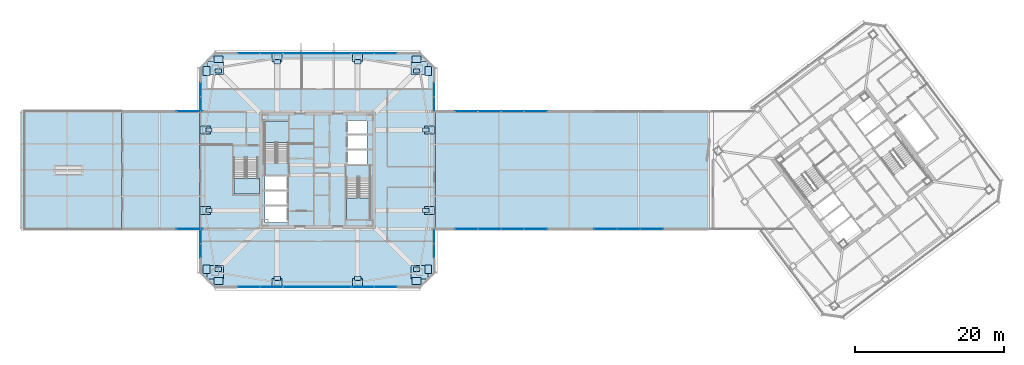
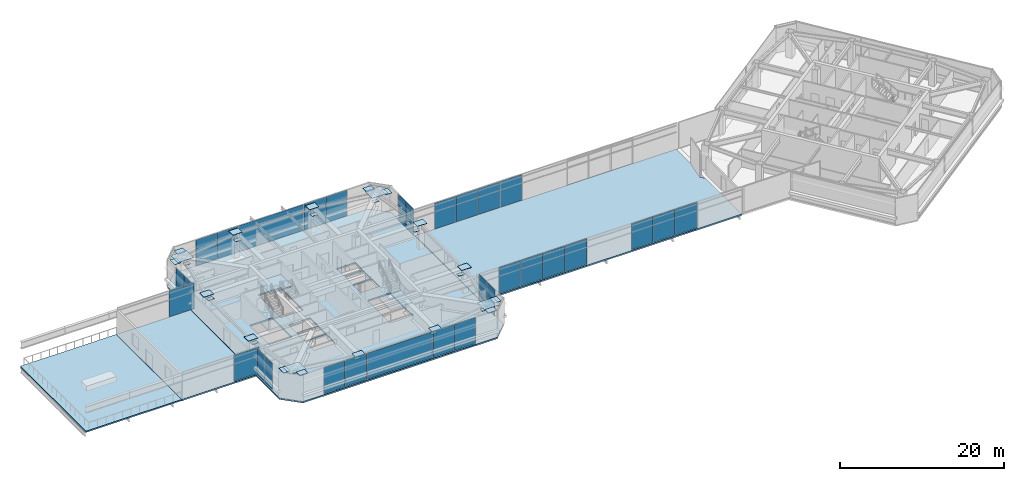
# One storey, part 39 of 51: 63 plates, 7 slabs, 18 elements without a shape of their own.
"""IFC4 building model written with IfcOpenShell, lengths in metres."""

import ifcopenshell
import ifcopenshell.guid

model = None  # the IFC model being written
_history = None  # IfcOwnerHistory: only IFC2X3 demands one
_inside = {}  # id of a spatial element -> (the spatial element, [elements in it])
_under = {}  # id of a project, library or spatial element -> (it, [spatial elements below it])
_declared = {}  # id of a project -> (the project, [libraries it declares])
_typed = {}  # id of a type object -> (the type object, [elements of that type])
_made_of = {}  # id of a material, layer set ... -> (it, [elements and type objects made of it])


def new_model(schema):
    """Start an empty IFC model of exactly this schema.

    Asked for "IFC4X3", IfcOpenShell would pick the latest addendum, in which some entities
    have other attributes; the version numbers below select the first issue.
    IFC2X3 requires an IfcOwnerHistory on every rooted entity: one is made here for all.
    """
    global model, _history
    if schema == "IFC4X3":
        model = ifcopenshell.file(schema_version=(4, 3, 0, 0))
    else:
        model = ifcopenshell.file(schema=schema)
    _inside.clear()
    _under.clear()
    _declared.clear()
    _typed.clear()
    _made_of.clear()
    _history = None
    if model.schema == "IFC2X3":
        org = make("IfcOrganization", Name="unknown")
        user = make(
            "IfcPersonAndOrganization",
            ThePerson=make("IfcPerson", FamilyName="unknown"),
            TheOrganization=org,
        )
        app = make(
            "IfcApplication",
            ApplicationDeveloper=org,
            Version="unknown",
            ApplicationFullName="unknown",
            ApplicationIdentifier="unknown",
        )
        _history = make(
            "IfcOwnerHistory",
            OwningUser=user,
            OwningApplication=app,
            ChangeAction="ADDED",
            CreationDate=0,
        )
    return model


def make(cls, **values):
    """One entity of the class cls with the attributes given. An attribute that is None is left unset."""
    return model.create_entity(
        cls, **{name: value for name, value in values.items() if value is not None}
    )


def rooted(cls, **values):
    """An entity with a GlobalId (a new one), such as an element, a storey or a relation."""
    return make(cls, GlobalId=ifcopenshell.guid.new(), OwnerHistory=_history, **values)


def si_unit(unit_type, name, prefix=None):
    """IfcSIUnit, for example si_unit("LENGTHUNIT", "METRE", prefix="MILLI")."""
    return make("IfcSIUnit", UnitType=unit_type, Prefix=prefix, Name=name)


def assignment(units):
    """IfcUnitAssignment: the units of a project."""
    return None if units is None else make("IfcUnitAssignment", Units=units)


def point(xyz):
    """IfcCartesianPoint."""
    return None if xyz is None else make("IfcCartesianPoint", Coordinates=xyz)


def direction(xyz):
    """IfcDirection."""
    return None if xyz is None else make("IfcDirection", DirectionRatios=xyz)


def frame(location, z_axis=None, x_axis=None):
    """IfcAxis2Placement3D, a coordinate frame: its origin and axes. An axis left out is left unset."""
    return make(
        "IfcAxis2Placement3D",
        Location=point(location),
        Axis=direction(z_axis),
        RefDirection=direction(x_axis),
    )


def frame_2d(location, x_axis=None):
    """IfcAxis2Placement2D, a coordinate frame in the plane: its origin and x axis."""
    return make(
        "IfcAxis2Placement2D", Location=point(location), RefDirection=direction(x_axis)
    )


def origin():
    """The frame at (0, 0, 0) with its axes left unset."""
    return frame((0.0, 0.0, 0.0))


def origin_2d():
    """The frame at (0, 0) in the plane with its x axis left unset."""
    return frame_2d((0.0, 0.0))


def place(relative_to, where):
    """IfcLocalPlacement: puts the frame where relative to a parent placement (None: the world)."""
    return make(
        "IfcLocalPlacement", PlacementRelTo=relative_to, RelativePlacement=where
    )


def context(
    kind, dimensions, precision=None, world=None, true_north=None, identifier=None
):
    """IfcGeometricRepresentationContext, for example the 3D "Model" context."""
    return make(
        "IfcGeometricRepresentationContext",
        ContextIdentifier=identifier,
        ContextType=kind,
        CoordinateSpaceDimension=dimensions,
        Precision=precision,
        WorldCoordinateSystem=world,
        TrueNorth=true_north,
    )


def subcontext(parent, identifier, kind, view, scale=None):
    """IfcGeometricRepresentationSubContext, for example "Body" below "Model"."""
    return make(
        "IfcGeometricRepresentationSubContext",
        ContextIdentifier=identifier,
        ContextType=kind,
        ParentContext=parent,
        TargetScale=scale,
        TargetView=view,
    )


def project(units=None, contexts=None):
    """IfcProject with its units and contexts."""
    return rooted(
        "IfcProject",
        Name="project",
        RepresentationContexts=contexts,
        UnitsInContext=assignment(units),
    )


def spatial(cls, under=None, at=None, **own):
    """A site, building, storey or space (cls), placed at a placement, below another one or the project."""
    s = rooted(cls, ObjectPlacement=at, **own)
    if under is not None:
        _under.setdefault(under.id(), (under, []))[1].append(s)
    return s


def polyline(points):
    """IfcPolyline through the points."""
    return make("IfcPolyline", Points=[point(p) for p in points])


def profile(cls, at=None, kind="AREA", **sizes):
    """A parametric profile (cls). Its sizes go by their IFC names, for example OverallWidth=200.0."""
    return make(cls, ProfileType=kind, Position=at, **sizes)


def rectangle(**sizes):
    """IfcRectangleProfileDef."""
    return profile("IfcRectangleProfileDef", **sizes)


def outline(outer, holes=None, kind="AREA"):
    """IfcArbitraryClosedProfileDef: a profile drawn as a closed curve; with holes, ...WithVoids."""
    if holes is None:
        return make("IfcArbitraryClosedProfileDef", ProfileType=kind, OuterCurve=outer)
    return make(
        "IfcArbitraryProfileDefWithVoids",
        ProfileType=kind,
        OuterCurve=outer,
        InnerCurves=holes,
    )


def extrude(swept, where, along, depth):
    """IfcExtrudedAreaSolid: the profile swept, set in the frame where, extruded along a direction by depth."""
    return make(
        "IfcExtrudedAreaSolid",
        SweptArea=swept,
        Position=where,
        ExtrudedDirection=direction(along),
        Depth=depth,
    )


def shape(context_of_items, identifier, shape_type, items):
    """IfcShapeRepresentation: the items that make up one representation, for example the "Body"."""
    return make(
        "IfcShapeRepresentation",
        ContextOfItems=context_of_items,
        RepresentationIdentifier=identifier,
        RepresentationType=shape_type,
        Items=items,
    )


def material(Name=None, Category=None):
    """IfcMaterial."""
    return make("IfcMaterial", Name=Name, Category=Category)


def layer(
    of_material, thickness, ventilated=None, Name=None, Category=None, Priority=None
):
    """IfcMaterialLayer: one layer of a wall or slab, of a material (None: an air gap)."""
    return make(
        "IfcMaterialLayer",
        Material=of_material,
        LayerThickness=thickness,
        IsVentilated=ventilated,
        Name=Name,
        Category=Category,
        Priority=Priority,
    )


def layer_set(layers, Name=None):
    """IfcMaterialLayerSet."""
    return make("IfcMaterialLayerSet", MaterialLayers=layers, LayerSetName=Name)


def made_of(thing, what):
    """Note that an element or type object is made of a material, layer set ...; save() writes the relation."""
    if what is not None:
        _made_of.setdefault(what.id(), (what, []))[1].append(thing)
    return thing


def type_object(cls, material=None, **own):
    """A type object (cls), such as IfcWallType, which elements share."""
    return made_of(rooted(cls, **own), material)


def element(
    cls,
    number,
    at=None,
    inside=None,
    cuts=None,
    type_object=None,
    material=None,
    context=None,
    identifier="Body",
    shape_type=None,
    held_by="IfcProductDefinitionShape",
    body=None,
    shapes=None,
    **own,
):
    """One element of the class cls, such as IfcWall. Its Tag is "e" and its number.

    at: its placement. inside: the storey or other place that contains it. cuts: it is an
    opening in that element (IfcRelVoidsElement). A single representation is given by context,
    identifier, shape_type and body (its items); several are given by shapes. held_by: the class
    of the entity that holds the representations. save() writes the other relations.
    """
    e = rooted(cls, Tag="e%d" % number, ObjectPlacement=at, **own)
    if body is not None:
        shapes = [shape(context, identifier, shape_type, body)]
    if shapes is not None:
        e.Representation = make(held_by, Representations=shapes)
    if inside is not None:
        _inside.setdefault(inside.id(), (inside, []))[1].append(e)
    if cuts is not None:
        rooted(
            "IfcRelVoidsElement", RelatingBuildingElement=cuts, RelatedOpeningElement=e
        )
    if type_object is not None:
        _typed.setdefault(type_object.id(), (type_object, []))[1].append(e)
    return made_of(e, material)


def aggregate(whole, parts):
    """IfcRelAggregates: a whole, such as a stair, and the parts it consists of."""
    return rooted("IfcRelAggregates", RelatingObject=whole, RelatedObjects=parts)


def save(model, path):
    """Write the relations noted so far, then the file.

    IfcRelAggregates (storeys below a building ...), IfcRelContainedInSpatialStructure (elements
    in a storey), IfcRelDefinesByType, IfcRelAssociatesMaterial and IfcRelDeclares: one each for
    every whole, place, type object, material and project.
    """
    for whole, parts in _under.values():
        aggregate(whole, parts)
    for where, things in _inside.values():
        rooted(
            "IfcRelContainedInSpatialStructure",
            RelatedElements=things,
            RelatingStructure=where,
        )
    for kind, things in _typed.values():
        rooted("IfcRelDefinesByType", RelatedObjects=things, RelatingType=kind)
    for what, things in _made_of.values():
        rooted("IfcRelAssociatesMaterial", RelatedObjects=things, RelatingMaterial=what)
    for by, libraries in _declared.values():
        rooted("IfcRelDeclares", RelatingContext=by, RelatedDefinitions=libraries)
    model.write(path)


model = new_model("IFC4")

# Units and contexts
model_context = context("Model", 3, precision=1e-05, world=origin(), true_north=direction((0.0, 1.0)))
body_context = subcontext(model_context, "Body", "Model", "MODEL_VIEW")
ifc_project = project(units=[si_unit("LENGTHUNIT", "METRE"), si_unit("AREAUNIT", "SQUARE_METRE"), si_unit("VOLUMEUNIT", "CUBIC_METRE"), si_unit("PLANEANGLEUNIT", "RADIAN"), si_unit("MASSUNIT", "GRAM", prefix="KILO")], contexts=[model_context])

# Site, building, storey
site_placement = place(None, origin())
site = spatial("IfcSite", under=ifc_project, at=site_placement, CompositionType="ELEMENT")
building_placement = place(site_placement, origin())
building = spatial("IfcBuilding", under=site, at=building_placement, Name="Tashvorn Skyway Center", CompositionType="ELEMENT")
storey_placement = place(building_placement, frame((0.0, 0.0, 259.39990234375)))
storey = spatial("IfcBuildingStorey", under=building, at=storey_placement, Name="L70", CompositionType="ELEMENT", Elevation=259.39990234375)

# Curtain wall, plates
ifc_material_1 = material(Name="Thermally broken bronze-anodized aluminium 6063-T6", Category="aluminium")
curtain_wall_type = type_object("IfcCurtainWallType", Name="CW-CW-SKY", PredefinedType="NOTDEFINED", material=ifc_material_1)
curtain_wall_1_placement = place(storey_placement, origin())
curtain_wall_1 = element("IfcCurtainWall", 1, at=curtain_wall_1_placement, inside=storey, type_object=curtain_wall_type, Name="Tower 1 L70 South Unitised Curtain Wall Glazing Group 1", PredefinedType="NOTDEFINED")
ifc_material_2 = material(Name="Low-E solar-control double insulating safety glass", Category="glass")
ifc_layer_1 = layer(ifc_material_2, 0.028076171875)
ifc_layer_set_1 = layer_set([ifc_layer_1], Name="Low-E solar-control double insulating safety glass")
plate_type_1 = type_object("IfcPlateType", Name="CWP-CW-SKY", PredefinedType="CURTAIN_PANEL", material=ifc_layer_set_1)
plate_1_placement = place(storey_placement, frame((51.17041015625, 16.320068359375, 0.06494140625), z_axis=(0.0, 0.0, 1.0), x_axis=(-1.0, 0.0, 0.0)))
plate_1 = element("IfcPlate", 2, at=plate_1_placement, type_object=plate_type_1, Name="CW-SKY panel 1.1", PredefinedType="CURTAIN_PANEL", context=body_context, shape_type="SweptSolid", body=[
    extrude(rectangle(XDim=2.96484375, YDim=0.028076171875, at=origin_2d()), origin(), (0.0, 0.0, 1.0), 3.8701171875),
])
plate_2_placement = place(storey_placement, frame((48.140625, 16.320068359375, 0.06494140625), z_axis=(0.0, 0.0, 1.0), x_axis=(-1.0, 0.0, 0.0)))
plate_2 = element("IfcPlate", 3, at=plate_2_placement, type_object=plate_type_1, Name="CW-SKY panel 2.1", PredefinedType="CURTAIN_PANEL", context=body_context, shape_type="SweptSolid", body=[
    extrude(rectangle(XDim=2.96484375, YDim=0.028076171875, at=origin_2d()), origin(), (0.0, 0.0, 1.0), 3.8701171875),
])
aggregate(curtain_wall_1, [plate_1, plate_2])

# Curtain wall, plate
curtain_wall_2_placement = place(storey_placement, origin())
curtain_wall_2 = element("IfcCurtainWall", 4, at=curtain_wall_2_placement, inside=storey, type_object=curtain_wall_type, Name="Tower 1 L70 South Unitised Curtain Wall Glazing Group 2", PredefinedType="NOTDEFINED")
plate_3_placement = place(storey_placement, frame((42.0, 16.320068359375, 0.06494140625), z_axis=(0.0, 0.0, 1.0), x_axis=(-1.0, 0.0, 0.0)))
plate_3 = element("IfcPlate", 5, at=plate_3_placement, type_object=plate_type_1, Name="CW-SKY panel 1.1", PredefinedType="CURTAIN_PANEL", context=body_context, shape_type="SweptSolid", body=[
    extrude(rectangle(XDim=9.056640625, YDim=0.028076171875, at=origin_2d()), origin(), (0.0, 0.0, 1.0), 3.8701171875),
])
aggregate(curtain_wall_2, [plate_3])

# Curtain wall, plates
curtain_wall_3_placement = place(storey_placement, origin())
curtain_wall_3 = element("IfcCurtainWall", 6, at=curtain_wall_3_placement, inside=storey, type_object=curtain_wall_type, Name="Tower 1 L70 South Unitised Curtain Wall Glazing Group 3", PredefinedType="NOTDEFINED")
plate_4_placement = place(storey_placement, frame((35.859375, 16.320068359375, 0.06494140625), z_axis=(0.0, 0.0, 1.0), x_axis=(-1.0, 0.0, 0.0)))
plate_4 = element("IfcPlate", 7, at=plate_4_placement, type_object=plate_type_1, Name="CW-SKY panel 1.1", PredefinedType="CURTAIN_PANEL", context=body_context, shape_type="SweptSolid", body=[
    extrude(rectangle(XDim=2.96484375, YDim=0.028076171875, at=origin_2d()), origin(), (0.0, 0.0, 1.0), 3.8701171875),
])
plate_5_placement = place(storey_placement, frame((32.82958984375, 16.320068359375, 0.06494140625), z_axis=(0.0, 0.0, 1.0), x_axis=(-1.0, 0.0, 0.0)))
plate_5 = element("IfcPlate", 8, at=plate_5_placement, type_object=plate_type_1, Name="CW-SKY panel 2.1", PredefinedType="CURTAIN_PANEL", context=body_context, shape_type="SweptSolid", body=[
    extrude(rectangle(XDim=2.96484375, YDim=0.028076171875, at=origin_2d()), origin(), (0.0, 0.0, 1.0), 3.8701171875),
])
aggregate(curtain_wall_3, [plate_4, plate_5])

curtain_wall_4_placement = place(storey_placement, origin())
curtain_wall_4 = element("IfcCurtainWall", 9, at=curtain_wall_4_placement, inside=storey, type_object=curtain_wall_type, Name="Tower 1 L70 West Curtain Wall A Glazing Group 1", PredefinedType="NOTDEFINED")
plate_6_placement = place(storey_placement, frame((26.320068359375, 21.17626953125, 0.06494140625), z_axis=(0.0, 0.0, 1.0), x_axis=(0.0, 1.0, 0.0)))
plate_6 = element("IfcPlate", 10, at=plate_6_placement, type_object=plate_type_1, Name="CW-SKY panel 1.1", PredefinedType="CURTAIN_PANEL", context=body_context, shape_type="SweptSolid", body=[
    extrude(rectangle(XDim=1.862548828125, YDim=0.028076171875, at=origin_2d()), origin(), (0.0, 0.0, 1.0), 3.8701171875),
])
plate_7_placement = place(storey_placement, frame((26.320068359375, 23.103759765625, 0.06494140625), z_axis=(0.0, 0.0, 1.0), x_axis=(0.0, 1.0, 0.0)))
plate_7 = element("IfcPlate", 11, at=plate_7_placement, type_object=plate_type_1, Name="CW-SKY panel 2.1", PredefinedType="CURTAIN_PANEL", context=body_context, shape_type="SweptSolid", body=[
    extrude(rectangle(XDim=1.862548828125, YDim=0.028076171875, at=origin_2d()), origin(), (0.0, 0.0, 1.0), 3.8701171875),
])
aggregate(curtain_wall_4, [plate_6, plate_7])

curtain_wall_5_placement = place(storey_placement, origin())
curtain_wall_5 = element("IfcCurtainWall", 12, at=curtain_wall_5_placement, inside=storey, type_object=curtain_wall_type, Name="Tower 1 L70 West Curtain Wall B Glazing Group 1", PredefinedType="NOTDEFINED")
plate_8_placement = place(storey_placement, frame((26.320068359375, 40.896240234375, 0.06494140625), z_axis=(0.0, 0.0, 1.0), x_axis=(0.0, 1.0, 0.0)))
plate_8 = element("IfcPlate", 13, at=plate_8_placement, type_object=plate_type_1, Name="CW-SKY panel 1.1", PredefinedType="CURTAIN_PANEL", context=body_context, shape_type="SweptSolid", body=[
    extrude(rectangle(XDim=1.862548828125, YDim=0.028076171875, at=origin_2d()), origin(), (0.0, 0.0, 1.0), 3.8701171875),
])
plate_9_placement = place(storey_placement, frame((26.320068359375, 42.82373046875, 0.06494140625), z_axis=(0.0, 0.0, 1.0), x_axis=(0.0, 1.0, 0.0)))
plate_9 = element("IfcPlate", 14, at=plate_9_placement, type_object=plate_type_1, Name="CW-SKY panel 2.1", PredefinedType="CURTAIN_PANEL", context=body_context, shape_type="SweptSolid", body=[
    extrude(rectangle(XDim=1.862548828125, YDim=0.028076171875, at=origin_2d()), origin(), (0.0, 0.0, 1.0), 3.8701171875),
])
aggregate(curtain_wall_5, [plate_8, plate_9])

curtain_wall_6_placement = place(storey_placement, origin())
curtain_wall_6 = element("IfcCurtainWall", 15, at=curtain_wall_6_placement, inside=storey, type_object=curtain_wall_type, Name="Tower 1 L70 North Unitised Curtain Wall Glazing Group 1", PredefinedType="NOTDEFINED")
plate_10_placement = place(storey_placement, frame((32.82958984375, 47.679931640625, 0.06494140625), z_axis=(0.0, 0.0, 1.0), x_axis=(1.0, 0.0, 0.0)))
plate_10 = element("IfcPlate", 16, at=plate_10_placement, type_object=plate_type_1, Name="CW-SKY panel 1.1", PredefinedType="CURTAIN_PANEL", context=body_context, shape_type="SweptSolid", body=[
    extrude(rectangle(XDim=2.96484375, YDim=0.028076171875, at=origin_2d()), origin(), (0.0, 0.0, 1.0), 3.8701171875),
])
plate_11_placement = place(storey_placement, frame((35.859375, 47.679931640625, 0.06494140625), z_axis=(0.0, 0.0, 1.0), x_axis=(1.0, 0.0, 0.0)))
plate_11 = element("IfcPlate", 17, at=plate_11_placement, type_object=plate_type_1, Name="CW-SKY panel 2.1", PredefinedType="CURTAIN_PANEL", context=body_context, shape_type="SweptSolid", body=[
    extrude(rectangle(XDim=2.96484375, YDim=0.028076171875, at=origin_2d()), origin(), (0.0, 0.0, 1.0), 3.8701171875),
])
aggregate(curtain_wall_6, [plate_10, plate_11])

# Curtain wall, plate
curtain_wall_7_placement = place(storey_placement, origin())
curtain_wall_7 = element("IfcCurtainWall", 18, at=curtain_wall_7_placement, inside=storey, type_object=curtain_wall_type, Name="Tower 1 L70 North Unitised Curtain Wall Glazing Group 2", PredefinedType="NOTDEFINED")
plate_12_placement = place(storey_placement, frame((42.0, 47.679931640625, 0.06494140625), z_axis=(0.0, 0.0, 1.0), x_axis=(1.0, 0.0, 0.0)))
plate_12 = element("IfcPlate", 19, at=plate_12_placement, type_object=plate_type_1, Name="CW-SKY panel 1.1", PredefinedType="CURTAIN_PANEL", context=body_context, shape_type="SweptSolid", body=[
    extrude(rectangle(XDim=9.056640625, YDim=0.028076171875, at=origin_2d()), origin(), (0.0, 0.0, 1.0), 3.8701171875),
])
aggregate(curtain_wall_7, [plate_12])

# Curtain wall, plates
curtain_wall_8_placement = place(storey_placement, origin())
curtain_wall_8 = element("IfcCurtainWall", 20, at=curtain_wall_8_placement, inside=storey, type_object=curtain_wall_type, Name="Tower 1 L70 North Unitised Curtain Wall Glazing Group 3", PredefinedType="NOTDEFINED")
plate_13_placement = place(storey_placement, frame((48.140625, 47.679931640625, 0.06494140625), z_axis=(0.0, 0.0, 1.0), x_axis=(1.0, 0.0, 0.0)))
plate_13 = element("IfcPlate", 21, at=plate_13_placement, type_object=plate_type_1, Name="CW-SKY panel 1.1", PredefinedType="CURTAIN_PANEL", context=body_context, shape_type="SweptSolid", body=[
    extrude(rectangle(XDim=2.96484375, YDim=0.028076171875, at=origin_2d()), origin(), (0.0, 0.0, 1.0), 3.8701171875),
])
plate_14_placement = place(storey_placement, frame((51.17041015625, 47.679931640625, 0.06494140625), z_axis=(0.0, 0.0, 1.0), x_axis=(1.0, 0.0, 0.0)))
plate_14 = element("IfcPlate", 22, at=plate_14_placement, type_object=plate_type_1, Name="CW-SKY panel 2.1", PredefinedType="CURTAIN_PANEL", context=body_context, shape_type="SweptSolid", body=[
    extrude(rectangle(XDim=2.96484375, YDim=0.028076171875, at=origin_2d()), origin(), (0.0, 0.0, 1.0), 3.8701171875),
])
aggregate(curtain_wall_8, [plate_13, plate_14])

curtain_wall_9_placement = place(storey_placement, origin())
curtain_wall_9 = element("IfcCurtainWall", 23, at=curtain_wall_9_placement, inside=storey, type_object=curtain_wall_type, Name="Tower 1 L70 East Curtain Wall A Glazing Group 1", PredefinedType="NOTDEFINED")
plate_15_placement = place(storey_placement, frame((57.679931640625, 42.82373046875, 0.06494140625), z_axis=(0.0, 0.0, 1.0), x_axis=(0.0, -1.0, 0.0)))
plate_15 = element("IfcPlate", 24, at=plate_15_placement, type_object=plate_type_1, Name="CW-SKY panel 1.1", PredefinedType="CURTAIN_PANEL", context=body_context, shape_type="SweptSolid", body=[
    extrude(rectangle(XDim=1.862548828125, YDim=0.028076171875, at=origin_2d()), origin(), (0.0, 0.0, 1.0), 3.8701171875),
])
plate_16_placement = place(storey_placement, frame((57.679931640625, 40.896240234375, 0.06494140625), z_axis=(0.0, 0.0, 1.0), x_axis=(0.0, -1.0, 0.0)))
plate_16 = element("IfcPlate", 25, at=plate_16_placement, type_object=plate_type_1, Name="CW-SKY panel 2.1", PredefinedType="CURTAIN_PANEL", context=body_context, shape_type="SweptSolid", body=[
    extrude(rectangle(XDim=1.862548828125, YDim=0.028076171875, at=origin_2d()), origin(), (0.0, 0.0, 1.0), 3.8701171875),
])
aggregate(curtain_wall_9, [plate_15, plate_16])

curtain_wall_10_placement = place(storey_placement, origin())
curtain_wall_10 = element("IfcCurtainWall", 26, at=curtain_wall_10_placement, inside=storey, type_object=curtain_wall_type, Name="Tower 1 L70 East Curtain Wall B Glazing Group 1", PredefinedType="NOTDEFINED")
plate_17_placement = place(storey_placement, frame((57.679931640625, 23.103759765625, 0.06494140625), z_axis=(0.0, 0.0, 1.0), x_axis=(0.0, -1.0, 0.0)))
plate_17 = element("IfcPlate", 27, at=plate_17_placement, type_object=plate_type_1, Name="CW-SKY panel 1.1", PredefinedType="CURTAIN_PANEL", context=body_context, shape_type="SweptSolid", body=[
    extrude(rectangle(XDim=1.862548828125, YDim=0.028076171875, at=origin_2d()), origin(), (0.0, 0.0, 1.0), 3.8701171875),
])
plate_18_placement = place(storey_placement, frame((57.679931640625, 21.17626953125, 0.06494140625), z_axis=(0.0, 0.0, 1.0), x_axis=(0.0, -1.0, 0.0)))
plate_18 = element("IfcPlate", 28, at=plate_18_placement, type_object=plate_type_1, Name="CW-SKY panel 2.1", PredefinedType="CURTAIN_PANEL", context=body_context, shape_type="SweptSolid", body=[
    extrude(rectangle(XDim=1.862548828125, YDim=0.028076171875, at=origin_2d()), origin(), (0.0, 0.0, 1.0), 3.8701171875),
])
aggregate(curtain_wall_10, [plate_17, plate_18])

curtain_wall_11_placement = place(storey_placement, origin())
curtain_wall_11 = element("IfcCurtainWall", 29, at=curtain_wall_11_placement, inside=storey, type_object=curtain_wall_type, Name="Sky-Park L70 Bridge South Curtain Wall Glazing Group 1", PredefinedType="NOTDEFINED")
plate_19_placement = place(storey_placement, frame((86.896240234375, 24.10009765625, 0.06494140625), z_axis=(0.0, 0.0, 1.0), x_axis=(-1.0, 0.0, 0.0)))
plate_19 = element("IfcPlate", 30, at=plate_19_placement, type_object=plate_type_1, Name="CW-SKY panel 1.1", PredefinedType="CURTAIN_PANEL", context=body_context, shape_type="SweptSolid", body=[
    extrude(rectangle(XDim=3.017578125, YDim=0.028076171875, at=origin_2d()), origin(), (0.0, 0.0, 1.0), 3.8701171875),
])
plate_20_placement = place(storey_placement, frame((83.797607421875, 24.10009765625, 0.06494140625), z_axis=(0.0, 0.0, 1.0), x_axis=(-1.0, 0.0, 0.0)))
plate_20 = element("IfcPlate", 31, at=plate_20_placement, type_object=plate_type_1, Name="CW-SKY panel 2.1", PredefinedType="CURTAIN_PANEL", context=body_context, shape_type="SweptSolid", body=[
    extrude(rectangle(XDim=3.050048828125, YDim=0.028076171875, at=origin_2d()), origin(), (0.0, 0.0, 1.0), 3.8701171875),
])
plate_21_placement = place(storey_placement, frame((80.69873046875, 24.10009765625, 0.06494140625), z_axis=(0.0, 0.0, 1.0), x_axis=(-1.0, 0.0, 0.0)))
plate_21 = element("IfcPlate", 32, at=plate_21_placement, type_object=plate_type_1, Name="CW-SKY panel 3.1", PredefinedType="CURTAIN_PANEL", context=body_context, shape_type="SweptSolid", body=[
    extrude(rectangle(XDim=3.017578125, YDim=0.028076171875, at=origin_2d()), origin(), (0.0, 0.0, 1.0), 3.8701171875),
])
aggregate(curtain_wall_11, [plate_19, plate_20, plate_21])

curtain_wall_12_placement = place(storey_placement, origin())
curtain_wall_12 = element("IfcCurtainWall", 33, at=curtain_wall_12_placement, inside=storey, type_object=curtain_wall_type, Name="Sky-Park L70 Bridge South Curtain Wall Glazing Group 2", PredefinedType="NOTDEFINED")
plate_22_placement = place(storey_placement, frame((71.3212890625, 24.10009765625, 0.06494140625), z_axis=(0.0, 0.0, 1.0), x_axis=(-1.0, 0.0, 0.0)))
plate_22 = element("IfcPlate", 34, at=plate_22_placement, type_object=plate_type_1, Name="CW-SKY panel 1.1", PredefinedType="CURTAIN_PANEL", context=body_context, shape_type="SweptSolid", body=[
    extrude(rectangle(XDim=3.017578125, YDim=0.028076171875, at=origin_2d()), origin(), (0.0, 0.0, 1.0), 3.8701171875),
])
plate_23_placement = place(storey_placement, frame((68.222412109375, 24.10009765625, 0.06494140625), z_axis=(0.0, 0.0, 1.0), x_axis=(-1.0, 0.0, 0.0)))
plate_23 = element("IfcPlate", 35, at=plate_23_placement, type_object=plate_type_1, Name="CW-SKY panel 2.1", PredefinedType="CURTAIN_PANEL", context=body_context, shape_type="SweptSolid", body=[
    extrude(rectangle(XDim=3.050048828125, YDim=0.028076171875, at=origin_2d()), origin(), (0.0, 0.0, 1.0), 3.8701171875),
])
plate_24_placement = place(storey_placement, frame((65.107421875, 24.10009765625, 0.06494140625), z_axis=(0.0, 0.0, 1.0), x_axis=(-1.0, 0.0, 0.0)))
plate_24 = element("IfcPlate", 36, at=plate_24_placement, type_object=plate_type_1, Name="CW-SKY panel 3.1", PredefinedType="CURTAIN_PANEL", context=body_context, shape_type="SweptSolid", body=[
    extrude(rectangle(XDim=3.050048828125, YDim=0.028076171875, at=origin_2d()), origin(), (0.0, 0.0, 1.0), 3.8701171875),
])
plate_25_placement = place(storey_placement, frame((62.0087890625, 24.10009765625, 0.06494140625), z_axis=(0.0, 0.0, 1.0), x_axis=(-1.0, 0.0, 0.0)))
plate_25 = element("IfcPlate", 37, at=plate_25_placement, type_object=plate_type_1, Name="CW-SKY panel 4.1", PredefinedType="CURTAIN_PANEL", context=body_context, shape_type="SweptSolid", body=[
    extrude(rectangle(XDim=3.017578125, YDim=0.028076171875, at=origin_2d()), origin(), (0.0, 0.0, 1.0), 3.8701171875),
])
aggregate(curtain_wall_12, [plate_22, plate_23, plate_24, plate_25])

curtain_wall_13_placement = place(storey_placement, origin())
curtain_wall_13 = element("IfcCurtainWall", 38, at=curtain_wall_13_placement, inside=storey, type_object=curtain_wall_type, Name="Sky-Park L70 Bridge North Curtain Wall Glazing Group 1", PredefinedType="NOTDEFINED")
plate_26_placement = place(storey_placement, frame((62.0087890625, 39.89990234375, 0.06494140625), z_axis=(0.0, 0.0, 1.0), x_axis=(1.0, 0.0, 0.0)))
plate_26 = element("IfcPlate", 39, at=plate_26_placement, type_object=plate_type_1, Name="CW-SKY panel 1.1", PredefinedType="CURTAIN_PANEL", context=body_context, shape_type="SweptSolid", body=[
    extrude(rectangle(XDim=3.017578125, YDim=0.028076171875, at=origin_2d()), origin(), (0.0, 0.0, 1.0), 3.8701171875),
])
plate_27_placement = place(storey_placement, frame((65.107421875, 39.89990234375, 0.06494140625), z_axis=(0.0, 0.0, 1.0), x_axis=(1.0, 0.0, 0.0)))
plate_27 = element("IfcPlate", 40, at=plate_27_placement, type_object=plate_type_1, Name="CW-SKY panel 2.1", PredefinedType="CURTAIN_PANEL", context=body_context, shape_type="SweptSolid", body=[
    extrude(rectangle(XDim=3.050048828125, YDim=0.028076171875, at=origin_2d()), origin(), (0.0, 0.0, 1.0), 3.8701171875),
])
plate_28_placement = place(storey_placement, frame((68.222412109375, 39.89990234375, 0.06494140625), z_axis=(0.0, 0.0, 1.0), x_axis=(1.0, 0.0, 0.0)))
plate_28 = element("IfcPlate", 41, at=plate_28_placement, type_object=plate_type_1, Name="CW-SKY panel 3.1", PredefinedType="CURTAIN_PANEL", context=body_context, shape_type="SweptSolid", body=[
    extrude(rectangle(XDim=3.050048828125, YDim=0.028076171875, at=origin_2d()), origin(), (0.0, 0.0, 1.0), 3.8701171875),
])
plate_29_placement = place(storey_placement, frame((71.3212890625, 39.89990234375, 0.06494140625), z_axis=(0.0, 0.0, 1.0), x_axis=(1.0, 0.0, 0.0)))
plate_29 = element("IfcPlate", 42, at=plate_29_placement, type_object=plate_type_1, Name="CW-SKY panel 4.1", PredefinedType="CURTAIN_PANEL", context=body_context, shape_type="SweptSolid", body=[
    extrude(rectangle(XDim=3.017578125, YDim=0.028076171875, at=origin_2d()), origin(), (0.0, 0.0, 1.0), 3.8701171875),
])
aggregate(curtain_wall_13, [plate_26, plate_27, plate_28, plate_29])

# Curtain wall, plate
curtain_wall_14_placement = place(storey_placement, origin())
curtain_wall_14 = element("IfcCurtainWall", 43, at=curtain_wall_14_placement, inside=storey, type_object=curtain_wall_type, Name="Sky-Park L70 Cantilever Gallery South Curtain Wall Glazing Group 1", PredefinedType="NOTDEFINED")
plate_30_placement = place(storey_placement, frame((24.873291015625, 24.10009765625, 0.06494140625), z_axis=(0.0, 0.0, 1.0), x_axis=(-1.0, 0.0, 0.0)))
plate_30 = element("IfcPlate", 44, at=plate_30_placement, type_object=plate_type_1, Name="CW-SKY panel 1.1", PredefinedType="CURTAIN_PANEL", context=body_context, shape_type="SweptSolid", body=[
    extrude(rectangle(XDim=3.4833984375, YDim=0.028076171875, at=origin_2d()), origin(), (0.0, 0.0, 1.0), 3.8701171875),
])
aggregate(curtain_wall_14, [plate_30])

curtain_wall_15_placement = place(storey_placement, origin())
curtain_wall_15 = element("IfcCurtainWall", 45, at=curtain_wall_15_placement, inside=storey, type_object=curtain_wall_type, Name="Sky-Park L70 Cantilever Gallery North Curtain Wall Glazing Group 1", PredefinedType="NOTDEFINED")
plate_31_placement = place(storey_placement, frame((24.873291015625, 39.89990234375, 0.06494140625), z_axis=(0.0, 0.0, 1.0), x_axis=(1.0, 0.0, 0.0)))
plate_31 = element("IfcPlate", 46, at=plate_31_placement, type_object=plate_type_1, Name="CW-SKY panel 1.1", PredefinedType="CURTAIN_PANEL", context=body_context, shape_type="SweptSolid", body=[
    extrude(rectangle(XDim=3.4833984375, YDim=0.028076171875, at=origin_2d()), origin(), (0.0, 0.0, 1.0), 3.8701171875),
])
aggregate(curtain_wall_15, [plate_31])

# Plates
ifc_material_3 = material(Name="Steel ASTM A572 Grade 50", Category="steel")
ifc_layer_2 = layer(ifc_material_3, 0.034912109375)
ifc_layer_set_2 = layer_set([ifc_layer_2], Name="Steel ASTM A572 Grade 50")
plate_type_2 = type_object("IfcPlateType", Name="PLT-CAP-35", PredefinedType="USERDEFINED", material=ifc_layer_set_2)
for number, where, z_axis, x_axis, name in (
    (47, (28.699951171875, 17.1201171875, 3.6474609375), (0.0, 0.0, 1.0), (1.0, 0.0, 0.0), "Tower 1 Zone 7 S Brace Base End Plate L"),
    (48, (55.300048828125, 17.1201171875, 3.6474609375), (0.0, 0.0, 1.0), (1.0, 0.0, 0.0), "Tower 1 Zone 7 S Brace Base End Plate R"),
    (49, (56.8798828125, 18.699951171875, 3.6474609375), (0.0, 0.0, 1.0), (0.0, 1.0, 0.0), "Tower 1 Zone 7 E Brace Base End Plate L"),
    (50, (56.8798828125, 45.300048828125, 3.6474609375), (0.0, 0.0, 1.0), (0.0, 1.0, 0.0), "Tower 1 Zone 7 E Brace Base End Plate R"),
    (51, (55.300048828125, 46.8798828125, 3.6474609375), (0.0, 0.0, 1.0), (-1.0, 0.0, 0.0), "Tower 1 Zone 7 N Brace Base End Plate L"),
    (52, (28.699951171875, 46.8798828125, 3.6474609375), (0.0, 0.0, 1.0), (-1.0, 0.0, 0.0), "Tower 1 Zone 7 N Brace Base End Plate R"),
    (53, (27.1201171875, 45.300048828125, 3.6474609375), (0.0, 0.0, 1.0), (0.0, -1.0, 0.0), "Tower 1 Zone 7 W Brace Base End Plate L"),
    (54, (27.1201171875, 18.699951171875, 3.6474609375), (0.0, 0.0, 1.0), (0.0, -1.0, 0.0), "Tower 1 Zone 7 W Brace Base End Plate R"),
):
    element("IfcPlate", number, at=place(storey_placement, frame(where, z_axis=z_axis, x_axis=x_axis)), inside=storey, type_object=plate_type_2, Name=name, ObjectType="END PLATE", PredefinedType="USERDEFINED", context=body_context, shape_type="SweptSolid", body=[
        extrude(rectangle(XDim=1.199951171875, YDim=0.919921875, at=origin_2d()), origin(), (0.0, 0.0, 1.0), 0.034912109375),
    ])
ifc_layer_3 = layer(ifc_material_3, 0.050048828125)
ifc_layer_set_3 = layer_set([ifc_layer_3], Name="Steel ASTM A572 Grade 50")
plate_type_3 = type_object("IfcPlateType", Name="PLT-ENDCAP-1650", PredefinedType="USERDEFINED", material=ifc_layer_set_3)
for number, where, z_axis, x_axis, name in (
    (55, (28.300048828125, 18.300048828125, 3.68994140625), (0.0, 0.0, 1.0), (1.0, 0.0, 0.0), "Tower 1 L70 MC-SW Setback Cap End Plate"),
    (56, (55.699951171875, 18.300048828125, 3.68994140625), (0.0, 0.0, 1.0), (1.0, 0.0, 0.0), "Tower 1 L70 MC-SE Setback Cap End Plate"),
    (57, (55.699951171875, 45.699951171875, 3.68994140625), (0.0, 0.0, 1.0), (1.0, 0.0, 0.0), "Tower 1 L70 MC-NE Setback Cap End Plate"),
    (58, (28.300048828125, 45.699951171875, 3.68994140625), (0.0, 0.0, 1.0), (1.0, 0.0, 0.0), "Tower 1 L70 MC-NW Setback Cap End Plate"),
):
    element("IfcPlate", number, at=place(storey_placement, frame(where, z_axis=z_axis, x_axis=x_axis)), inside=storey, type_object=plate_type_3, Name=name, ObjectType="END PLATE", PredefinedType="USERDEFINED", context=body_context, shape_type="SweptSolid", body=[
        extrude(rectangle(XDim=2.25, YDim=1.780029296875, at=origin_2d()), origin(), (0.0, 0.0, 1.0), 0.050048828125),
    ])
ifc_layer_4 = layer(ifc_material_3, 0.050048828125)
ifc_layer_set_4 = layer_set([ifc_layer_4], Name="Steel ASTM A572 Grade 50")
plate_type_4 = type_object("IfcPlateType", Name="PLT-ENDCAP-900", PredefinedType="USERDEFINED", material=ifc_layer_set_4)
for number, where, z_axis, x_axis, name in (
    (59, (36.60009765625, 16.949951171875, 3.68994140625), (0.0, 0.0, 1.0), (1.0, 0.0, 0.0), "Tower 1 L70 FC-S1 Setback Cap End Plate"),
    (60, (47.39990234375, 16.949951171875, 3.68994140625), (0.0, 0.0, 1.0), (1.0, 0.0, 0.0), "Tower 1 L70 FC-S2 Setback Cap End Plate"),
    (61, (57.050048828125, 26.60009765625, 3.68994140625), (0.0, 0.0, 1.0), (1.0, 0.0, 0.0), "Tower 1 L70 FC-E1 Setback Cap End Plate"),
    (62, (57.050048828125, 37.39990234375, 3.68994140625), (0.0, 0.0, 1.0), (1.0, 0.0, 0.0), "Tower 1 L70 FC-E2 Setback Cap End Plate"),
    (63, (47.39990234375, 47.050048828125, 3.68994140625), (0.0, 0.0, 1.0), (1.0, 0.0, 0.0), "Tower 1 L70 FC-N1 Setback Cap End Plate"),
    (64, (36.60009765625, 47.050048828125, 3.68994140625), (0.0, 0.0, 1.0), (1.0, 0.0, 0.0), "Tower 1 L70 FC-N2 Setback Cap End Plate"),
    (65, (26.949951171875, 37.39990234375, 3.68994140625), (0.0, 0.0, 1.0), (1.0, 0.0, 0.0), "Tower 1 L70 FC-W1 Setback Cap End Plate"),
    (66, (26.949951171875, 26.60009765625, 3.68994140625), (0.0, 0.0, 1.0), (1.0, 0.0, 0.0), "Tower 1 L70 FC-W2 Setback Cap End Plate"),
):
    element("IfcPlate", number, at=place(storey_placement, frame(where, z_axis=z_axis, x_axis=x_axis)), inside=storey, type_object=plate_type_4, Name=name, ObjectType="END PLATE", PredefinedType="USERDEFINED", context=body_context, shape_type="SweptSolid", body=[
        extrude(rectangle(XDim=1.35009765625, YDim=1.050048828125, at=origin_2d()), origin(), (0.0, 0.0, 1.0), 0.050048828125),
    ])
ifc_layer_5 = layer(ifc_material_3, 0.030029296875)
ifc_layer_set_5 = layer_set([ifc_layer_5], Name="Steel ASTM A572 Grade 50")
plate_type_5 = type_object("IfcPlateType", Name="PLT-STIFF-30", PredefinedType="SHEET", material=ifc_layer_set_5)
for number, where, z_axis, x_axis, name in (
    (67, (28.699951171875, 18.699951171875, 2.78515625), (0.0, 0.0, 1.0), (1.0, 0.0, 0.0), "Tower 1 L70 Transfer Bearing Stiffener MC-SW"),
    (68, (55.300048828125, 18.699951171875, 2.78515625), (0.0, 0.0, 1.0), (1.0, 0.0, 0.0), "Tower 1 L70 Transfer Bearing Stiffener MC-SE"),
    (69, (55.300048828125, 45.300048828125, 2.78515625), (0.0, 0.0, 1.0), (1.0, 0.0, 0.0), "Tower 1 L70 Transfer Bearing Stiffener MC-NE"),
    (70, (28.699951171875, 45.300048828125, 2.78515625), (0.0, 0.0, 1.0), (1.0, 0.0, 0.0), "Tower 1 L70 Transfer Bearing Stiffener MC-NW"),
    (71, (36.60009765625, 17.449951171875, 2.78515625), (0.0, 0.0, 1.0), (1.0, 0.0, 0.0), "Tower 1 L70 Transfer Bearing Stiffener FC-S1"),
    (72, (47.39990234375, 17.449951171875, 2.78515625), (0.0, 0.0, 1.0), (1.0, 0.0, 0.0), "Tower 1 L70 Transfer Bearing Stiffener FC-S2"),
    (73, (56.550048828125, 26.60009765625, 2.78515625), (0.0, 0.0, 1.0), (1.0, 0.0, 0.0), "Tower 1 L70 Transfer Bearing Stiffener FC-E1"),
    (74, (56.550048828125, 37.39990234375, 2.78515625), (0.0, 0.0, 1.0), (1.0, 0.0, 0.0), "Tower 1 L70 Transfer Bearing Stiffener FC-E2"),
    (75, (47.39990234375, 46.550048828125, 2.78515625), (0.0, 0.0, 1.0), (1.0, 0.0, 0.0), "Tower 1 L70 Transfer Bearing Stiffener FC-N1"),
    (76, (36.60009765625, 46.550048828125, 2.78515625), (0.0, 0.0, 1.0), (1.0, 0.0, 0.0), "Tower 1 L70 Transfer Bearing Stiffener FC-N2"),
    (77, (27.449951171875, 37.39990234375, 2.78515625), (0.0, 0.0, 1.0), (1.0, 0.0, 0.0), "Tower 1 L70 Transfer Bearing Stiffener FC-W1"),
    (78, (27.449951171875, 26.60009765625, 2.78515625), (0.0, 0.0, 1.0), (1.0, 0.0, 0.0), "Tower 1 L70 Transfer Bearing Stiffener FC-W2"),
):
    element("IfcPlate", number, at=place(storey_placement, frame(where, z_axis=z_axis, x_axis=x_axis)), inside=storey, type_object=plate_type_5, Name=name, PredefinedType="SHEET", context=body_context, shape_type="SweptSolid", body=[
        extrude(rectangle(XDim=0.85009765625, YDim=0.550048828125, at=origin_2d()), origin(), (0.0, 0.0, 1.0), 0.030029296875),
    ])

# Slabs
ifc_material_4 = material(Name="Concrete C40/50", Category="concrete")
ifc_layer_6 = layer(ifc_material_4, 0.219970703125)
ifc_layer_set_6 = layer_set([ifc_layer_6], Name="Concrete C40/50")
slab_type_1 = type_object("IfcSlabType", Name="SLAB-FLR-220", PredefinedType="FLOOR", material=ifc_layer_set_6)
slab_1_placement = place(storey_placement, frame((0.0, 0.0, -0.219970703125)))
element("IfcSlab", 79, at=slab_1_placement, inside=storey, type_object=slab_type_1, Name="Tower 1 L70 Composite Floor Slab", PredefinedType="FLOOR", context=body_context, shape_type="SweptSolid", body=[
    extrude(outline(polyline([(28.300048828125, 16.199951171875), (55.699951171875, 16.199951171875), (57.800048828125, 18.300048828125), (57.800048828125, 45.699951171875), (55.699951171875, 47.800048828125), (28.300048828125, 47.800048828125), (26.199951171875, 45.699951171875), (26.199951171875, 18.300048828125), (28.300048828125, 16.199951171875)]), holes=[polyline([(38.10009765625, 33.080078125), (38.10009765625, 38.60009765625), (34.89990234375, 38.60009765625), (34.89990234375, 33.080078125), (38.10009765625, 33.080078125)]), polyline([(45.89990234375, 30.919921875), (45.89990234375, 25.39990234375), (49.10009765625, 25.39990234375), (49.10009765625, 30.919921875), (45.89990234375, 30.919921875)]), polyline([(30.800048828125, 33.52001953125), (30.800048828125, 28.800048828125), (34.0, 28.800048828125), (34.0, 33.52001953125), (30.800048828125, 33.52001953125)]), polyline([(34.949951171875, 29.35009765625), (37.949951171875, 29.35009765625), (37.949951171875, 31.199951171875), (34.949951171875, 31.199951171875), (34.949951171875, 29.35009765625)]), polyline([(34.949951171875, 27.35009765625), (37.949951171875, 27.35009765625), (37.949951171875, 29.199951171875), (34.949951171875, 29.199951171875), (34.949951171875, 27.35009765625)]), polyline([(34.949951171875, 25.0), (37.949951171875, 25.0), (37.949951171875, 27.14990234375), (34.949951171875, 27.14990234375), (34.949951171875, 25.0)]), polyline([(46.050048828125, 32.800048828125), (48.64990234375, 32.800048828125), (48.64990234375, 34.64990234375), (46.050048828125, 34.64990234375), (46.050048828125, 32.800048828125)]), polyline([(46.050048828125, 34.85009765625), (48.64990234375, 34.85009765625), (48.64990234375, 36.699951171875), (46.050048828125, 36.699951171875), (46.050048828125, 34.85009765625)]), polyline([(46.050048828125, 36.89990234375), (48.64990234375, 36.89990234375), (48.64990234375, 38.64990234375), (46.050048828125, 38.64990234375), (46.050048828125, 36.89990234375)])]), origin(), (0.0, 0.0, 1.0), 0.219970703125),
])
slab_2_placement = place(storey_placement, frame((0.0, 0.0, -0.219970703125)))
element("IfcSlab", 80, at=slab_2_placement, inside=storey, type_object=slab_type_1, Name="Sky-Park L70 Inter-Tower Bridge Floor Slab", PredefinedType="FLOOR", context=body_context, shape_type="SweptSolid", body=[
    extrude(outline(polyline([(94.679931640625, 24.0), (57.820068359375, 24.0), (57.820068359375, 40.0), (94.679931640625, 40.0), (94.679931640625, 36.297607421875), (94.58203125, 36.22412109375), (94.579833984375, 36.22216796875), (94.57763671875, 36.219970703125), (94.575927734375, 36.2177734375), (94.57421875, 36.21533203125), (94.57275390625, 36.212646484375), (94.57177734375, 36.2099609375), (94.57080078125, 36.20703125), (94.5703125, 36.204345703125), (94.17041015625, 33.404296875), (94.169921875, 33.4013671875), (94.170166015625, 33.3984375), (94.17041015625, 33.3955078125), (94.1708984375, 33.392578125), (94.171875, 33.3896484375), (94.1728515625, 33.386962890625), (94.17431640625, 33.384521484375), (94.176025390625, 33.382080078125), (94.679931640625, 32.7099609375), (94.679931640625, 24.0)])), origin(), (0.0, 0.0, 1.0), 0.219970703125),
])
slab_3_placement = place(storey_placement, frame((0.0, 0.0, -0.219970703125)))
element("IfcSlab", 81, at=slab_3_placement, inside=storey, type_object=slab_type_1, Name="Sky-Park L70 West Cantilever Gallery Slab", PredefinedType="FLOOR", context=body_context, shape_type="SweptSolid", body=[
    extrude(outline(polyline([(15.7099609375, 24.0), (26.179931640625, 24.0), (26.179931640625, 40.0), (15.7099609375, 40.0), (15.7099609375, 24.0)])), origin(), (0.0, 0.0, 1.0), 0.219970703125),
])

# Stair, slab
stair_type = type_object("IfcStairType", Name="STAIR-CORE-1500", PredefinedType="HALF_TURN_STAIR", material=ifc_material_4)
stair_1_placement = place(storey_placement, origin())
stair_1 = element("IfcStair", 82, at=stair_1_placement, inside=storey, type_object=stair_type, Name="L70 Tower 1 Exit Stair 1", PredefinedType="HALF_TURN_STAIR")
ifc_layer_7 = layer(ifc_material_4, 0.199951171875)
ifc_layer_set_7 = layer_set([ifc_layer_7], Name="Concrete C40/50")
slab_type_2 = type_object("IfcSlabType", Name="SLAB-LAND-200", PredefinedType="LANDING", material=ifc_layer_set_7)
slab_4_placement = place(storey_placement, frame((0.0, 0.0, 1.800048828125)))
slab_4 = element("IfcSlab", 83, at=slab_4_placement, type_object=slab_type_2, Name="ST-T1-1 landing 1", PredefinedType="LANDING", context=body_context, shape_type="SweptSolid", body=[
    extrude(outline(polyline([(38.10009765625, 35.719970703125), (38.10009765625, 38.60009765625), (34.89990234375, 38.60009765625), (34.89990234375, 35.719970703125), (38.10009765625, 35.719970703125)])), origin(), (0.0, 0.0, 1.0), 0.199951171875),
])
aggregate(stair_1, [slab_4])

stair_2_placement = place(storey_placement, origin())
stair_2 = element("IfcStair", 84, at=stair_2_placement, inside=storey, type_object=stair_type, Name="L70 Tower 1 Exit Stair 2", PredefinedType="HALF_TURN_STAIR")
slab_5_placement = place(storey_placement, frame((0.0, 0.0, 1.800048828125)))
slab_5 = element("IfcSlab", 85, at=slab_5_placement, type_object=slab_type_2, Name="ST-T1-2 landing 1", PredefinedType="LANDING", context=body_context, shape_type="SweptSolid", body=[
    extrude(outline(polyline([(45.89990234375, 28.280029296875), (45.89990234375, 25.39990234375), (49.10009765625, 25.39990234375), (49.10009765625, 28.280029296875), (45.89990234375, 28.280029296875)])), origin(), (0.0, 0.0, 1.0), 0.199951171875),
])
aggregate(stair_2, [slab_5])

stair_3_placement = place(storey_placement, origin())
stair_3 = element("IfcStair", 86, at=stair_3_placement, inside=storey, type_object=stair_type, Name="L70 Tower 1 Exit Stair 3", PredefinedType="HALF_TURN_STAIR")
slab_6_placement = place(storey_placement, frame((0.0, 0.0, 1.800048828125)))
slab_6 = element("IfcSlab", 87, at=slab_6_placement, type_object=slab_type_2, Name="ST-T1-3 landing 1", PredefinedType="LANDING", context=body_context, shape_type="SweptSolid", body=[
    extrude(outline(polyline([(30.800048828125, 30.8798828125), (30.800048828125, 28.800048828125), (34.199951171875, 28.800048828125), (34.199951171875, 30.8798828125), (30.800048828125, 30.8798828125)])), origin(), (0.0, 0.0, 1.0), 0.199951171875),
])
aggregate(stair_3, [slab_6])

# Slab
ifc_layer_8 = layer(ifc_material_4, 0.179931640625)
ifc_layer_set_8 = layer_set([ifc_layer_8], Name="Concrete C40/50")
slab_type_3 = type_object("IfcSlabType", Name="SLAB-TERR-200", PredefinedType="FLOOR", material=ifc_layer_set_8)
slab_7_placement = place(storey_placement, frame((0.0, 0.0, -0.199951171875)))
element("IfcSlab", 88, at=slab_7_placement, inside=storey, type_object=slab_type_3, Name="Sky-Park L70 Planted Sky-Garden Cantilever Deck", PredefinedType="FLOOR", context=body_context, shape_type="SweptSolid", body=[
    extrude(outline(polyline([(2.199951171875, 24.0), (15.699951171875, 24.0), (15.699951171875, 40.0), (2.199951171875, 40.0), (2.199951171875, 24.0)])), origin(), (0.0, 0.0, 1.0), 0.199951171875),
])

save(model, "model.ifc")
